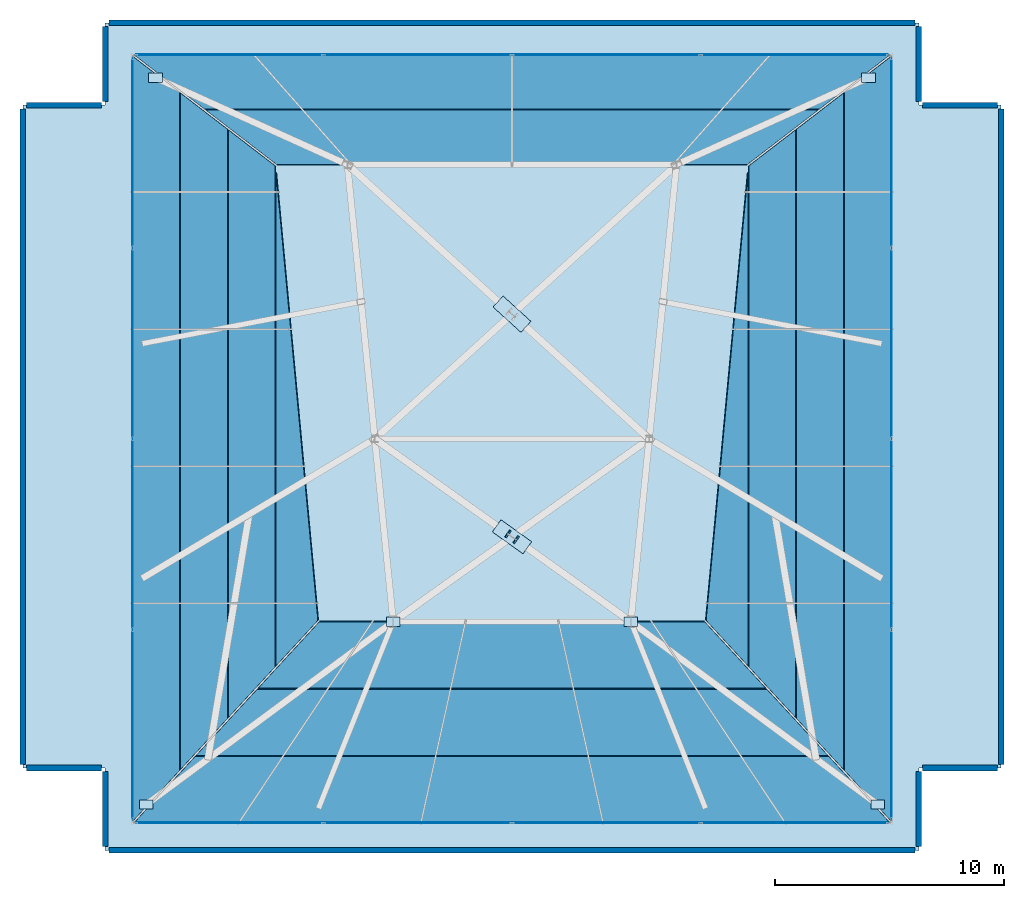
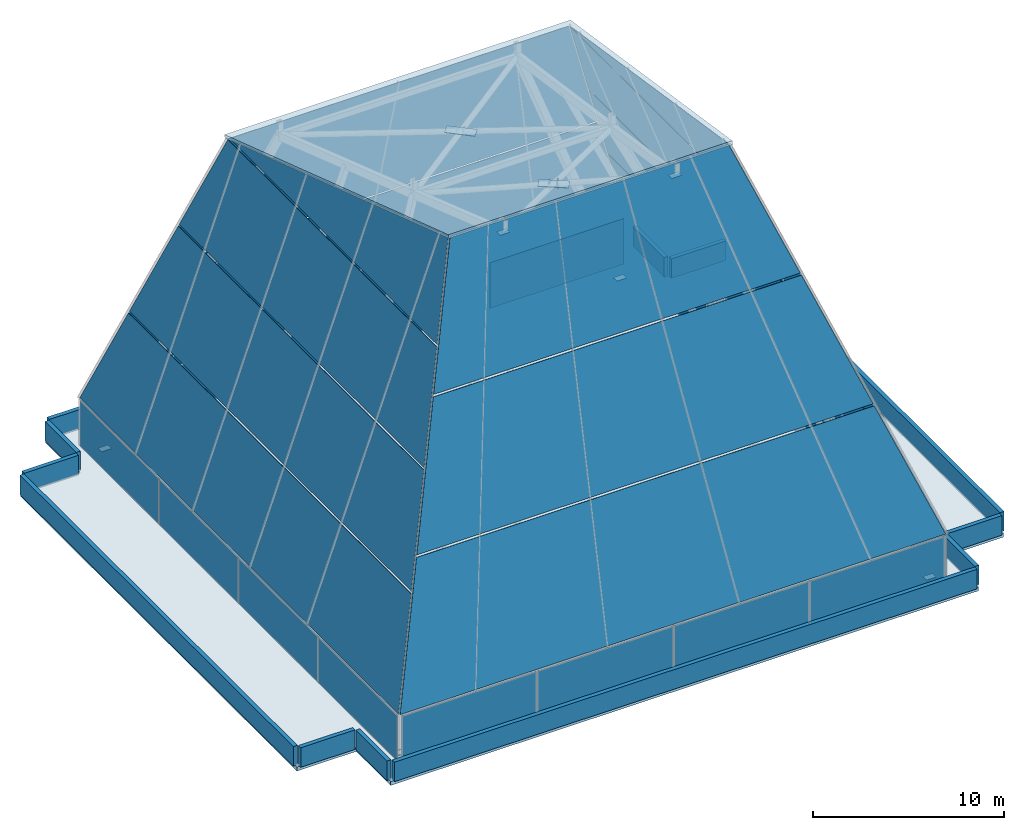
# One storey, part 30 of 32: 37 plates, 12 walls, 2 discrete accessories, 2 slabs, 4 elements without a shape of their own.
"""IFC4 building model written with IfcOpenShell, lengths in metres."""

from ifc_helpers import new_model, si_unit, direction, frame, frame_2d, origin, origin_2d, place, context, subcontext, project, spatial, polyline, rectangle, outline, extrude, source, transform, mapped, material, layer, layer_set, type_object, element, aggregate, save


model = new_model("IFC4")

# Units and contexts
model_context = context("Model", 3, precision=1e-05, world=origin(), true_north=direction((0.0, 1.0)))
body_context = subcontext(model_context, "Body", "Model", "MODEL_VIEW")
ifc_project = project(units=[si_unit("LENGTHUNIT", "METRE"), si_unit("AREAUNIT", "SQUARE_METRE"), si_unit("VOLUMEUNIT", "CUBIC_METRE"), si_unit("PLANEANGLEUNIT", "RADIAN"), si_unit("MASSUNIT", "GRAM", prefix="KILO")], contexts=[model_context])

# Site, building, storey
site_placement = place(None, origin())
site = spatial("IfcSite", under=ifc_project, at=site_placement, CompositionType="ELEMENT")
building_placement = place(site_placement, origin())
building = spatial("IfcBuilding", under=site, at=building_placement, Name="Sumidabori Civic Tower", CompositionType="ELEMENT")
storey_placement = place(building_placement, frame((0.0, 0.0, 298.199951171875)))
storey = spatial("IfcBuildingStorey", under=building, at=storey_placement, Name="RF Roof Crown", CompositionType="ELEMENT", Elevation=298.199951171875)

# Curtain wall, plates
ifc_material_1 = material(Name="Anodised Bronze Aluminium AW-6063-T6", Category="aluminium")
ifc_layer_1 = layer(ifc_material_1, 0.179931640625, Name="Anodised Bronze Aluminium AW-6063-T6")
ifc_layer_set_1 = layer_set([ifc_layer_1], Name="Anodised Bronze Aluminium AW-6063-T6")
curtain_wall_type = type_object("IfcCurtainWallType", Name="CW-SYS-6", PredefinedType="NOTDEFINED", material=ifc_layer_set_1)
curtain_wall_1_placement = place(storey_placement, origin())
curtain_wall_1 = element("IfcCurtainWall", 1, at=curtain_wall_1_placement, inside=storey, type_object=curtain_wall_type, Name="Glass-Point Crown South Prow Curtain Wall", PredefinedType="NOTDEFINED")
ifc_material_2 = material(Name="Bronze-Tinted Laminated Crown Glazing", Category="glass")
ifc_layer_2 = layer(ifc_material_2, 0.033935546875, Name="Bronze-Tinted Laminated Crown Glazing")
ifc_layer_set_2 = layer_set([ifc_layer_2], Name="Bronze-Tinted Laminated Crown Glazing")
plate_type_1 = type_object("IfcPlateType", Name="CW-PNL-CRN", PredefinedType="CURTAIN_PANEL", material=ifc_layer_set_2)
plate_1_placement = place(storey_placement, frame((-16.525634765625, -10.784423828125, 3.090087890625), z_axis=(0.0, -0.931518123112, 0.363694908287), x_axis=(1.0, 0.0, 0.0)))
plate_1 = element("IfcPlate", 2, at=plate_1_placement, type_object=plate_type_1, Name="Crown South Prow Glass Panel T1", PredefinedType="CURTAIN_PANEL", context=body_context, shape_type="SweptSolid", body=[
    extrude(outline(polyline([(0.0, 0.0), (33.05126953125, 0.0), (30.390869140625, 7.933171019192631), (2.660400390625, 7.933171019192631), (0.0, 0.0)])), origin(), (0.0, 0.0, -1.0), 0.033935546875),
])
plate_2_placement = place(storey_placement, frame((-13.822021484375, -7.852294921875, 10.60009765625), z_axis=(0.0, -0.931528747561, 0.363667695111), x_axis=(1.0, 0.0, 0.0)))
plate_2 = element("IfcPlate", 3, at=plate_2_placement, type_object=plate_type_1, Name="Crown South Prow Glass Panel T2", PredefinedType="CURTAIN_PANEL", context=body_context, shape_type="SweptSolid", body=[
    extrude(outline(polyline([(0.0, 0.0), (27.64404296875, 0.0), (24.972900390625, 7.965317113859216), (2.671142578125, 7.965317113859216), (0.0, 0.0)])), origin(), (0.0, 0.0, -1.0), 0.033935546875),
])
plate_3_placement = place(storey_placement, frame((-11.107666015625, -4.90869140625, 18.14013671875), z_axis=(0.0, -0.931518443778, 0.363694086977), x_axis=(1.0, 0.0, 0.0)))
plate_3 = element("IfcPlate", 4, at=plate_3_placement, type_object=plate_type_1, Name="Crown South Prow Glass Panel T3", PredefinedType="CURTAIN_PANEL", context=body_context, shape_type="SweptSolid", body=[
    extrude(outline(polyline([(0.0, 0.0), (22.21533203125, 0.0), (19.54052734375, 7.976150864488879), (2.6748046875, 7.976150864488879), (0.0, 0.0)])), origin(), (0.0, 0.0, -1.0), 0.033935546875),
])

curtain_wall_2_placement = place(storey_placement, origin())
curtain_wall_2 = element("IfcCurtainWall", 5, at=curtain_wall_2_placement, inside=storey, type_object=curtain_wall_type, Name="Glass-Point Crown North Shoulder Curtain Wall", PredefinedType="NOTDEFINED")
plate_4_placement = place(storey_placement, frame((16.525634765625, 22.788818359375, 3.090087890625), z_axis=(0.0, 0.963759199211, 0.266773697985), x_axis=(-1.0, 0.0, 0.0)))
plate_4 = element("IfcPlate", 6, at=plate_4_placement, type_object=plate_type_1, Name="Crown North Shoulder Glass Panel T1", PredefinedType="CURTAIN_PANEL", context=body_context, shape_type="SweptSolid", body=[
    extrude(outline(polyline([(0.0, 0.0), (33.05126953125, 0.0), (29.97314453125, 8.871561314410984), (3.078125, 8.871561314410984), (0.0, 0.0)])), origin(), (0.0, 0.0, -1.0), 0.033935546875),
])
plate_5_placement = place(storey_placement, frame((13.404296875, 20.388916015625, 11.760009765625), z_axis=(0.0, 0.963759860465, 0.266771309095), x_axis=(-1.0, 0.0, 0.0)))
plate_5 = element("IfcPlate", 7, at=plate_5_placement, type_object=plate_type_1, Name="Crown North Shoulder Glass Panel T2", PredefinedType="CURTAIN_PANEL", context=body_context, shape_type="SweptSolid", body=[
    extrude(outline(polyline([(0.0, 0.0), (26.80859375, 0.0), (23.708984375, 8.93387219687711), (3.099609375, 8.93387219687711), (0.0, 0.0)])), origin(), (0.0, 0.0, -1.0), 0.033935546875),
])

# Curtain wall, plate
curtain_wall_3_placement = place(storey_placement, origin())
curtain_wall_3 = element("IfcCurtainWall", 8, at=curtain_wall_3_placement, inside=storey, type_object=curtain_wall_type, Name="Glass-Point Crown West Cheek Curtain Wall", PredefinedType="NOTDEFINED")
plate_6_placement = place(storey_placement, frame((-16.585693359375, 22.72900390625, 3.090087890625), z_axis=(-0.940882763644, 0.0, 0.338732379729), x_axis=(0.0, -1.0, 0.0)))
plate_6 = element("IfcPlate", 9, at=plate_6_placement, type_object=plate_type_1, Name="Crown West Cheek Glass Panel B1", PredefinedType="CURTAIN_PANEL", context=body_context, shape_type="SweptSolid", body=[
    extrude(outline(polyline([(0.0, 0.0), (33.453369140625, 0.0), (31.23974609375, 6.026172541453069), (1.569580078125, 6.026172541453069), (0.0, 0.0)])), origin(), (0.0, 0.0, -1.0), 0.033935546875),
])

curtain_wall_4_placement = place(storey_placement, origin())
curtain_wall_4 = element("IfcCurtainWall", 10, at=curtain_wall_4_placement, inside=storey, type_object=curtain_wall_type, Name="Glass-Point Crown East Cheek Curtain Wall", PredefinedType="NOTDEFINED")
plate_7_placement = place(storey_placement, frame((16.585693359375, -10.724365234375, 3.090087890625), z_axis=(0.940882763644, 0.0, 0.338732379729), x_axis=(0.0, 1.0, 0.0)))
plate_7 = element("IfcPlate", 11, at=plate_7_placement, type_object=plate_type_1, Name="Crown East Cheek Glass Panel B1", PredefinedType="CURTAIN_PANEL", context=body_context, shape_type="SweptSolid", body=[
    extrude(outline(polyline([(0.0, 0.0), (33.453369140625, 0.0), (31.8837890625, 6.026172541453069), (2.213623046875, 6.026172541453069), (0.0, 0.0)])), origin(), (0.0, 0.0, -1.0), 0.033935546875),
])

# Plate
plate_8_placement = place(storey_placement, frame((-14.501220703125, 21.126220703125, 8.880126953125), z_axis=(-0.940879678408, 0.0, 0.338740949338), x_axis=(0.0, -1.0, 0.0)))
plate_8 = element("IfcPlate", 12, at=plate_8_placement, type_object=plate_type_1, Name="Crown West Cheek Glass Panel B2", PredefinedType="CURTAIN_PANEL", context=body_context, shape_type="SweptSolid", body=[
    extrude(outline(polyline([(0.0, 0.0), (29.590087890625, 0.0), (27.37255859375, 6.036831032671572), (1.572265625, 6.036831032671572), (0.0, 0.0)])), origin(), (0.0, 0.0, -1.0), 0.033935546875),
])

plate_9_placement = place(storey_placement, frame((14.501220703125, -8.4638671875, 8.880126953125), z_axis=(0.940879678408, 0.0, 0.338740949338), x_axis=(0.0, 1.0, 0.0)))
plate_9 = element("IfcPlate", 13, at=plate_9_placement, type_object=plate_type_1, Name="Crown East Cheek Glass Panel B2", PredefinedType="CURTAIN_PANEL", context=body_context, shape_type="SweptSolid", body=[
    extrude(outline(polyline([(0.0, 0.0), (29.590087890625, 0.0), (28.017822265625, 6.036831032671572), (2.217529296875, 6.036831032671572), (0.0, 0.0)])), origin(), (0.0, 0.0, -1.0), 0.033935546875),
])

plate_10_placement = place(storey_placement, frame((-12.4130859375, 19.5205078125, 14.679931640625), z_axis=(-0.940900322359, 0.0, 0.338683603656), x_axis=(0.0, -1.0, 0.0)))
plate_10 = element("IfcPlate", 14, at=plate_10_placement, type_object=plate_type_1, Name="Crown West Cheek Glass Panel B3", PredefinedType="CURTAIN_PANEL", context=body_context, shape_type="SweptSolid", body=[
    extrude(outline(polyline([(0.0, 0.0), (25.719970703125, 0.0), (23.50634765625, 6.026319558921749), (1.5693359375, 6.026319558921749), (0.0, 0.0)])), origin(), (0.0, 0.0, -1.0), 0.033935546875),
])

plate_11_placement = place(storey_placement, frame((12.4130859375, -6.199462890625, 14.679931640625), z_axis=(0.940900322359, 0.0, 0.338683603656), x_axis=(0.0, 1.0, 0.0)))
plate_11 = element("IfcPlate", 15, at=plate_11_placement, type_object=plate_type_1, Name="Crown East Cheek Glass Panel B3", PredefinedType="CURTAIN_PANEL", context=body_context, shape_type="SweptSolid", body=[
    extrude(outline(polyline([(0.0, 0.0), (25.719970703125, 0.0), (24.150634765625, 6.026319558921749), (2.213623046875, 6.026319558921749), (0.0, 0.0)])), origin(), (0.0, 0.0, -1.0), 0.033935546875),
])

plate_12_placement = place(storey_placement, frame((-10.328857421875, 17.65234375, 20.469970703125), z_axis=(-0.940885682575, 0.0, 0.338724271827), x_axis=(0.0, -1.0, 0.0)))
plate_12 = element("IfcPlate", 16, at=plate_12_placement, type_object=plate_type_1, Name="Crown West Cheek Glass Panel B4", PredefinedType="CURTAIN_PANEL", context=body_context, shape_type="SweptSolid", body=[
    extrude(outline(polyline([(0.0, 0.0), (21.59130859375, 0.0), (19.60791015625, 5.399251172676706), (19.53857421875, 5.399251172676706), (0.0, 0.0)])), origin(), (0.0, 0.0, -1.0), 0.033935546875),
])

plate_13_placement = place(storey_placement, frame((10.328857421875, -3.93896484375, 20.469970703125), z_axis=(0.940885682575, 0.0, 0.338724271827), x_axis=(0.0, 1.0, 0.0)))
plate_13 = element("IfcPlate", 17, at=plate_13_placement, type_object=plate_type_1, Name="Crown East Cheek Glass Panel B4", PredefinedType="CURTAIN_PANEL", context=body_context, shape_type="SweptSolid", body=[
    extrude(outline(polyline([(0.0, 0.0), (21.59130859375, 0.0), (2.052734375, 5.399251172676706), (1.9833984375, 5.399251172676706), (0.0, 0.0)])), origin(), (0.0, 0.0, -1.0), 0.033935546875),
])

# Slabs
ifc_material_3 = material(Name="Concrete C40/50", Category="concrete")
ifc_layer_3 = layer(ifc_material_3, 0.260009765625, Name="Concrete C40/50")
ifc_layer_set_3 = layer_set([ifc_layer_3], Name="Concrete C40/50")
slab_type_1 = type_object("IfcSlabType", Name="SL-RF-260", PredefinedType="ROOF", material=ifc_layer_set_3)
slab_1_placement = place(storey_placement, frame((0.0, 0.0, -0.260009765625)))
element("IfcSlab", 18, at=slab_1_placement, inside=storey, type_object=slab_type_1, Name="Structural Slab RF Roof Crown", PredefinedType="ROOF", context=body_context, shape_type="SweptSolid", body=[
    extrude(outline(polyline([(-17.800048828125, -12.0), (17.800048828125, -12.0), (17.800048828125, -8.39990234375), (21.39990234375, -8.39990234375), (21.39990234375, 20.60009765625), (17.800048828125, 20.60009765625), (17.800048828125, 24.199951171875), (-17.800048828125, 24.199951171875), (-17.800048828125, 20.60009765625), (-21.39990234375, 20.60009765625), (-21.39990234375, -8.39990234375), (-17.800048828125, -8.39990234375), (-17.800048828125, -12.0)])), origin(), (0.0, 0.0, 1.0), 0.260009765625),
])
ifc_layer_4 = layer(ifc_material_3, 0.219970703125, Name="Concrete C40/50")
ifc_layer_set_4 = layer_set([ifc_layer_4], Name="Concrete C40/50")
slab_type_2 = type_object("IfcSlabType", Name="SL-RF-CAP-220", PredefinedType="ROOF", material=ifc_layer_set_4)
slab_2_placement = place(storey_placement, frame((-8.60009765625, -2.1201171875, 25.800048828125), z_axis=(0.0, 0.248830950148, 0.968546931361), x_axis=(1.0, 0.0, 0.0)))
element("IfcSlab", 19, at=slab_2_placement, inside=storey, type_object=slab_type_2, Name="Crown Glass-Point Prow Apex Cap SR-2", PredefinedType="ROOF", context=body_context, shape_type="SweptSolid", body=[
    extrude(outline(polyline([(0.0, 0.0), (17.2001953125, 0.0), (19.080078125, 20.897525684750715), (-1.8798828125, 20.897525684750715), (0.0, 0.0)])), origin(), (0.0, 0.0, -1.0), 0.219970703125),
])

# Plates
ifc_material_4 = material(Name="Steel SN490", Category="steel")
ifc_layer_5 = layer(ifc_material_4, 0.0400390625, Name="Steel SN490")
ifc_layer_set_5 = layer_set([ifc_layer_5], Name="Steel SN490")
plate_type_2 = type_object("IfcPlateType", Name="PL-NODE-XBR", PredefinedType="USERDEFINED", material=ifc_layer_set_5)
shared_shape_1 = source(origin(), body_context, "Body", "SweptSolid", [
    extrude(rectangle(XDim=1.64990234375, YDim=0.64990234375, at=origin_2d()), origin(), (0.0, 0.0, 1.0), 0.0400390625),
])
for number, where, z_axis, x_axis, name in (
    (20, (0.0, 1.71435546875, 23.705078125), (0.0, 0.0, 1.0), (-0.813709912852, 0.581271174002, 0.0), "X-Brace Crossing Node Plate XND-CRN-1"),
    (21, (0.0, 11.45458984375, 21.1708984375), (0.0, 0.0, 1.0), (-0.739983382104, 0.672625151337, 0.0), "X-Brace Crossing Node Plate XND-CRN-2"),
):
    element("IfcPlate", number, at=place(storey_placement, frame(where, z_axis=z_axis, x_axis=x_axis)), inside=storey, type_object=plate_type_2, Name=name, ObjectType="GUSSET_PLATE", PredefinedType="USERDEFINED", context=body_context, shape_type="MappedRepresentation", body=[
        mapped(shared_shape_1, transform((0.0, 0.0, 0.0), x_axis=(1.0, 0.0, 0.0), y_axis=(0.0, 1.0, 0.0), z_axis=(0.0, 0.0, 1.0), scale=1.0)),
    ])
ifc_layer_6 = layer(ifc_material_4, 0.031982421875, Name="Steel SN490")
ifc_layer_set_6 = layer_set([ifc_layer_6], Name="Steel SN490")
plate_type_3 = type_object("IfcPlateType", Name="PL-NODE-CN", PredefinedType="USERDEFINED", material=ifc_layer_set_6)
shared_shape_2 = source(origin(), body_context, "Body", "SweptSolid", [
    extrude(rectangle(XDim=0.60009765625, YDim=0.39990234375, at=origin_2d()), origin(), (0.0, 0.0, 1.0), 0.031982421875),
])
for number, where, z_axis, x_axis, name in (
    (22, (-16.0, -10.0, 0.0341796875), (0.0, 0.0, 1.0), (1.0, 0.0, 0.0), "Crown Rafter Base Plate ND-CN1-1"),
    (23, (16.0, -10.0, 0.0341796875), (0.0, 0.0, 1.0), (1.0, 0.0, 0.0), "Crown Rafter Base Plate ND-CN1-2"),
    (24, (-15.60009765625, 21.800048828125, 0.0341796875), (0.0, 0.0, 1.0), (1.0, 0.0, 0.0), "Crown Rafter Base Plate ND-CN1-3"),
    (25, (15.60009765625, 21.800048828125, 0.0341796875), (0.0, 0.0, 1.0), (1.0, 0.0, 0.0), "Crown Rafter Base Plate ND-CN1-4"),
    (26, (-5.199951171875, -2.0, 24.68408203125), (0.0, 0.0, 1.0), (1.0, 0.0, 0.0), "Crown Rafter Base Plate ND-CN1-5"),
    (27, (5.199951171875, -2.0, 24.68408203125), (0.0, 0.0, 1.0), (1.0, 0.0, 0.0), "Crown Rafter Base Plate ND-CN1-6"),
):
    element("IfcPlate", number, at=place(storey_placement, frame(where, z_axis=z_axis, x_axis=x_axis)), inside=storey, type_object=plate_type_3, Name=name, ObjectType="BASE_PLATE", PredefinedType="USERDEFINED", context=body_context, shape_type="MappedRepresentation", body=[
        mapped(shared_shape_2, transform((0.0, 0.0, 0.0), x_axis=(1.0, 0.0, 0.0), y_axis=(0.0, 1.0, 0.0), z_axis=(0.0, 0.0, 1.0), scale=1.0)),
    ])

# Plate
shared_shape_3 = source(origin(), body_context, "Body", "SweptSolid", [
    extrude(rectangle(XDim=8.14501953125, YDim=0.033935546875, at=origin_2d()), origin(), (0.0, 0.0, 1.0), 2.919921875),
])
plate_14_placement = place(storey_placement, frame((-12.357421875, -10.800048828125, 0.065185546875), z_axis=(0.0, 0.0, 1.0), x_axis=(1.0, 0.0, 0.0)))
plate_14 = element("IfcPlate", 28, at=plate_14_placement, type_object=plate_type_1, Name="CW-6 panel 1.1", PredefinedType="CURTAIN_PANEL", context=body_context, shape_type="MappedRepresentation", body=[
    mapped(shared_shape_3, transform((0.0, 0.0, 0.0), x_axis=(1.0, 0.0, 0.0), y_axis=(0.0, 1.0, 0.0), z_axis=(0.0, 0.0, 1.0), scale=1.0)),
])

plate_15_placement = place(storey_placement, frame((12.357421875, -10.800048828125, 0.065185546875), z_axis=(0.0, 0.0, 1.0), x_axis=(1.0, 0.0, 0.0)))
plate_15 = element("IfcPlate", 29, at=plate_15_placement, type_object=plate_type_1, Name="CW-6 panel 4.1", PredefinedType="CURTAIN_PANEL", context=body_context, shape_type="MappedRepresentation", body=[
    mapped(shared_shape_3, transform((0.0, 0.0, 0.0), x_axis=(1.0, 0.0, 0.0), y_axis=(0.0, 1.0, 0.0), z_axis=(0.0, 0.0, 1.0), scale=1.0)),
])

plate_16_placement = place(storey_placement, frame((12.357421875, 22.800048828125, 0.065185546875), z_axis=(0.0, 0.0, 1.0), x_axis=(-1.0, 0.0, 0.0)))
plate_16 = element("IfcPlate", 30, at=plate_16_placement, type_object=plate_type_1, Name="CW-6 panel 1.1", PredefinedType="CURTAIN_PANEL", context=body_context, shape_type="MappedRepresentation", body=[
    mapped(shared_shape_3, transform((0.0, 0.0, 0.0), x_axis=(1.0, 0.0, 0.0), y_axis=(0.0, 1.0, 0.0), z_axis=(0.0, 0.0, 1.0), scale=1.0)),
])

plate_17_placement = place(storey_placement, frame((-12.357421875, 22.800048828125, 0.065185546875), z_axis=(0.0, 0.0, 1.0), x_axis=(-1.0, 0.0, 0.0)))
plate_17 = element("IfcPlate", 31, at=plate_17_placement, type_object=plate_type_1, Name="CW-6 panel 4.1", PredefinedType="CURTAIN_PANEL", context=body_context, shape_type="MappedRepresentation", body=[
    mapped(shared_shape_3, transform((0.0, 0.0, 0.0), x_axis=(1.0, 0.0, 0.0), y_axis=(0.0, 1.0, 0.0), z_axis=(0.0, 0.0, 1.0), scale=1.0)),
])

shared_shape_4 = source(origin(), body_context, "Body", "SweptSolid", [
    extrude(rectangle(XDim=8.179931640625, YDim=0.033935546875, at=origin_2d()), origin(), (0.0, 0.0, 1.0), 2.919921875),
])
plate_18_placement = place(storey_placement, frame((-4.125, -10.800048828125, 0.065185546875), z_axis=(0.0, 0.0, 1.0), x_axis=(1.0, 0.0, 0.0)))
plate_18 = element("IfcPlate", 32, at=plate_18_placement, type_object=plate_type_1, Name="CW-6 panel 2.1", PredefinedType="CURTAIN_PANEL", context=body_context, shape_type="MappedRepresentation", body=[
    mapped(shared_shape_4, transform((0.0, 0.0, 0.0), x_axis=(1.0, 0.0, 0.0), y_axis=(0.0, 1.0, 0.0), z_axis=(0.0, 0.0, 1.0), scale=1.0)),
])

plate_19_placement = place(storey_placement, frame((4.125, -10.800048828125, 0.065185546875), z_axis=(0.0, 0.0, 1.0), x_axis=(1.0, 0.0, 0.0)))
plate_19 = element("IfcPlate", 33, at=plate_19_placement, type_object=plate_type_1, Name="CW-6 panel 3.1", PredefinedType="CURTAIN_PANEL", context=body_context, shape_type="MappedRepresentation", body=[
    mapped(shared_shape_4, transform((0.0, 0.0, 0.0), x_axis=(1.0, 0.0, 0.0), y_axis=(0.0, 1.0, 0.0), z_axis=(0.0, 0.0, 1.0), scale=1.0)),
])

aggregate(curtain_wall_1, [plate_14, plate_18, plate_19, plate_15, plate_1, plate_2, plate_3])

plate_20_placement = place(storey_placement, frame((4.125, 22.800048828125, 0.065185546875), z_axis=(0.0, 0.0, 1.0), x_axis=(-1.0, 0.0, 0.0)))
plate_20 = element("IfcPlate", 34, at=plate_20_placement, type_object=plate_type_1, Name="CW-6 panel 2.1", PredefinedType="CURTAIN_PANEL", context=body_context, shape_type="MappedRepresentation", body=[
    mapped(shared_shape_4, transform((0.0, 0.0, 0.0), x_axis=(1.0, 0.0, 0.0), y_axis=(0.0, 1.0, 0.0), z_axis=(0.0, 0.0, 1.0), scale=1.0)),
])

plate_21_placement = place(storey_placement, frame((-4.125, 22.800048828125, 0.065185546875), z_axis=(0.0, 0.0, 1.0), x_axis=(-1.0, 0.0, 0.0)))
plate_21 = element("IfcPlate", 35, at=plate_21_placement, type_object=plate_type_1, Name="CW-6 panel 3.1", PredefinedType="CURTAIN_PANEL", context=body_context, shape_type="MappedRepresentation", body=[
    mapped(shared_shape_4, transform((0.0, 0.0, 0.0), x_axis=(1.0, 0.0, 0.0), y_axis=(0.0, 1.0, 0.0), z_axis=(0.0, 0.0, 1.0), scale=1.0)),
])

aggregate(curtain_wall_2, [plate_16, plate_20, plate_21, plate_17, plate_4, plate_5])

shared_shape_5 = source(origin(), body_context, "Body", "SweptSolid", [
    extrude(rectangle(XDim=8.2451171875, YDim=0.033935546875, at=origin_2d()), origin(), (0.0, 0.0, 1.0), 2.919921875),
])
plate_22_placement = place(storey_placement, frame((-16.60009765625, 18.507568359375, 0.065185546875), z_axis=(0.0, 0.0, 1.0), x_axis=(0.0, -1.0, 0.0)))
plate_22 = element("IfcPlate", 36, at=plate_22_placement, type_object=plate_type_1, Name="CW-6 panel 1.1", PredefinedType="CURTAIN_PANEL", context=body_context, shape_type="MappedRepresentation", body=[
    mapped(shared_shape_5, transform((0.0, 0.0, 0.0), x_axis=(1.0, 0.0, 0.0), y_axis=(0.0, 1.0, 0.0), z_axis=(0.0, 0.0, 1.0), scale=1.0)),
])

plate_23_placement = place(storey_placement, frame((-16.60009765625, -6.507568359375, 0.065185546875), z_axis=(0.0, 0.0, 1.0), x_axis=(0.0, -1.0, 0.0)))
plate_23 = element("IfcPlate", 37, at=plate_23_placement, type_object=plate_type_1, Name="CW-6 panel 4.1", PredefinedType="CURTAIN_PANEL", context=body_context, shape_type="MappedRepresentation", body=[
    mapped(shared_shape_5, transform((0.0, 0.0, 0.0), x_axis=(1.0, 0.0, 0.0), y_axis=(0.0, 1.0, 0.0), z_axis=(0.0, 0.0, 1.0), scale=1.0)),
])

plate_24_placement = place(storey_placement, frame((16.60009765625, -6.507568359375, 0.065185546875), z_axis=(0.0, 0.0, 1.0), x_axis=(0.0, 1.0, 0.0)))
plate_24 = element("IfcPlate", 38, at=plate_24_placement, type_object=plate_type_1, Name="CW-6 panel 1.1", PredefinedType="CURTAIN_PANEL", context=body_context, shape_type="MappedRepresentation", body=[
    mapped(shared_shape_5, transform((0.0, 0.0, 0.0), x_axis=(1.0, 0.0, 0.0), y_axis=(0.0, 1.0, 0.0), z_axis=(0.0, 0.0, 1.0), scale=1.0)),
])

plate_25_placement = place(storey_placement, frame((16.60009765625, 18.507568359375, 0.065185546875), z_axis=(0.0, 0.0, 1.0), x_axis=(0.0, 1.0, 0.0)))
plate_25 = element("IfcPlate", 39, at=plate_25_placement, type_object=plate_type_1, Name="CW-6 panel 4.1", PredefinedType="CURTAIN_PANEL", context=body_context, shape_type="MappedRepresentation", body=[
    mapped(shared_shape_5, transform((0.0, 0.0, 0.0), x_axis=(1.0, 0.0, 0.0), y_axis=(0.0, 1.0, 0.0), z_axis=(0.0, 0.0, 1.0), scale=1.0)),
])

shared_shape_6 = source(origin(), body_context, "Body", "SweptSolid", [
    extrude(rectangle(XDim=8.280029296875, YDim=0.033935546875, at=origin_2d()), origin(), (0.0, 0.0, 1.0), 2.919921875),
])
plate_26_placement = place(storey_placement, frame((-16.60009765625, 10.175048828125, 0.065185546875), z_axis=(0.0, 0.0, 1.0), x_axis=(0.0, -1.0, 0.0)))
plate_26 = element("IfcPlate", 40, at=plate_26_placement, type_object=plate_type_1, Name="CW-6 panel 2.1", PredefinedType="CURTAIN_PANEL", context=body_context, shape_type="MappedRepresentation", body=[
    mapped(shared_shape_6, transform((0.0, 0.0, 0.0), x_axis=(1.0, 0.0, 0.0), y_axis=(0.0, 1.0, 0.0), z_axis=(0.0, 0.0, 1.0), scale=1.0)),
])

plate_27_placement = place(storey_placement, frame((-16.60009765625, 1.824951171875, 0.065185546875), z_axis=(0.0, 0.0, 1.0), x_axis=(0.0, -1.0, 0.0)))
plate_27 = element("IfcPlate", 41, at=plate_27_placement, type_object=plate_type_1, Name="CW-6 panel 3.1", PredefinedType="CURTAIN_PANEL", context=body_context, shape_type="MappedRepresentation", body=[
    mapped(shared_shape_6, transform((0.0, 0.0, 0.0), x_axis=(1.0, 0.0, 0.0), y_axis=(0.0, 1.0, 0.0), z_axis=(0.0, 0.0, 1.0), scale=1.0)),
])

aggregate(curtain_wall_3, [plate_22, plate_26, plate_27, plate_23, plate_6, plate_8, plate_10, plate_12])

plate_28_placement = place(storey_placement, frame((16.60009765625, 1.824951171875, 0.065185546875), z_axis=(0.0, 0.0, 1.0), x_axis=(0.0, 1.0, 0.0)))
plate_28 = element("IfcPlate", 42, at=plate_28_placement, type_object=plate_type_1, Name="CW-6 panel 2.1", PredefinedType="CURTAIN_PANEL", context=body_context, shape_type="MappedRepresentation", body=[
    mapped(shared_shape_6, transform((0.0, 0.0, 0.0), x_axis=(1.0, 0.0, 0.0), y_axis=(0.0, 1.0, 0.0), z_axis=(0.0, 0.0, 1.0), scale=1.0)),
])

plate_29_placement = place(storey_placement, frame((16.60009765625, 10.175048828125, 0.065185546875), z_axis=(0.0, 0.0, 1.0), x_axis=(0.0, 1.0, 0.0)))
plate_29 = element("IfcPlate", 43, at=plate_29_placement, type_object=plate_type_1, Name="CW-6 panel 3.1", PredefinedType="CURTAIN_PANEL", context=body_context, shape_type="MappedRepresentation", body=[
    mapped(shared_shape_6, transform((0.0, 0.0, 0.0), x_axis=(1.0, 0.0, 0.0), y_axis=(0.0, 1.0, 0.0), z_axis=(0.0, 0.0, 1.0), scale=1.0)),
])

aggregate(curtain_wall_4, [plate_24, plate_28, plate_29, plate_25, plate_7, plate_9, plate_11, plate_13])

# Walls
ifc_material_5 = material(Name="Precast concrete C40/50", Category="concrete")
ifc_layer_7 = layer(ifc_material_5, 0.25, Name="Precast concrete C40/50")
ifc_layer_set_7 = layer_set([ifc_layer_7], Name="Precast concrete C40/50")
wall_type = type_object("IfcWallType", Name="WL-EXT-PAR250", PredefinedType="PARAPET", material=ifc_layer_set_7)
shared_shape_7 = source(origin(), body_context, "Body", "SweptSolid", [
    extrude(rectangle(XDim=35.27978515625, YDim=0.25, at=frame_2d((17.639892578125, 0.0))), origin(), (0.0, 0.0, 1.0), 1.25),
])
for number, where, z_axis, x_axis, name in (
    (44, (-17.639892578125, -12.0, 0.0), (0.0, 0.0, 1.0), (1.0, 0.0, 0.0), "Crown Perimeter Parapet 01"),
    (45, (17.639892578125, 24.199951171875, 0.0), (0.0, 0.0, 1.0), (-1.0, 0.0, 0.0), "Crown Perimeter Parapet 07"),
):
    element("IfcWall", number, at=place(storey_placement, frame(where, z_axis=z_axis, x_axis=x_axis)), inside=storey, type_object=wall_type, Name=name, PredefinedType="PARAPET", context=body_context, shape_type="MappedRepresentation", body=[
        mapped(shared_shape_7, transform((0.0, 0.0, 0.0), x_axis=(1.0, 0.0, 0.0), y_axis=(0.0, 1.0, 0.0), z_axis=(0.0, 0.0, 1.0), scale=1.0)),
    ])
shared_shape_8 = source(origin(), body_context, "Body", "SweptSolid", [
    extrude(rectangle(XDim=3.280029296875, YDim=0.25, at=frame_2d((1.64013671875, 0.0))), origin(), (0.0, 0.0, 1.0), 1.25),
])
for number, where, z_axis, x_axis, name in (
    (46, (17.800048828125, -11.840087890625, 0.0), (0.0, 0.0, 1.0), (0.0, 1.0, 0.0), "Crown Perimeter Parapet 02"),
    (47, (17.9599609375, -8.39990234375, 0.0), (0.0, 0.0, 1.0), (1.0, 0.0, 0.0), "Crown Perimeter Parapet 03"),
    (48, (21.239990234375, 20.60009765625, 0.0), (0.0, 0.0, 1.0), (-1.0, 0.0, 0.0), "Crown Perimeter Parapet 05"),
    (49, (17.800048828125, 20.760009765625, 0.0), (0.0, 0.0, 1.0), (0.0, 1.0, 0.0), "Crown Perimeter Parapet 06"),
    (50, (-17.800048828125, 24.0400390625, 0.0), (0.0, 0.0, 1.0), (0.0, -1.0, 0.0), "Crown Perimeter Parapet 08"),
    (51, (-17.9599609375, 20.60009765625, 0.0), (0.0, 0.0, 1.0), (-1.0, 0.0, 0.0), "Crown Perimeter Parapet 09"),
    (52, (-21.239990234375, -8.39990234375, 0.0), (0.0, 0.0, 1.0), (1.0, 0.0, 0.0), "Crown Perimeter Parapet 11"),
    (53, (-17.800048828125, -8.56005859375, 0.0), (0.0, 0.0, 1.0), (0.0, -1.0, 0.0), "Crown Perimeter Parapet 12"),
):
    element("IfcWall", number, at=place(storey_placement, frame(where, z_axis=z_axis, x_axis=x_axis)), inside=storey, type_object=wall_type, Name=name, PredefinedType="PARAPET", context=body_context, shape_type="MappedRepresentation", body=[
        mapped(shared_shape_8, transform((0.0, 0.0, 0.0), x_axis=(1.0, 0.0, 0.0), y_axis=(0.0, 1.0, 0.0), z_axis=(0.0, 0.0, 1.0), scale=1.0)),
    ])
shared_shape_9 = source(origin(), body_context, "Body", "SweptSolid", [
    extrude(rectangle(XDim=28.679931640625, YDim=0.25, at=frame_2d((14.33984375, 0.0))), origin(), (0.0, 0.0, 1.0), 1.25),
])
for number, where, z_axis, x_axis, name in (
    (54, (21.39990234375, -8.239990234375, 0.0), (0.0, 0.0, 1.0), (0.0, 1.0, 0.0), "Crown Perimeter Parapet 04"),
    (55, (-21.39990234375, 20.43994140625, 0.0), (0.0, 0.0, 1.0), (0.0, -1.0, 0.0), "Crown Perimeter Parapet 10"),
):
    element("IfcWall", number, at=place(storey_placement, frame(where, z_axis=z_axis, x_axis=x_axis)), inside=storey, type_object=wall_type, Name=name, PredefinedType="PARAPET", context=body_context, shape_type="MappedRepresentation", body=[
        mapped(shared_shape_9, transform((0.0, 0.0, 0.0), x_axis=(1.0, 0.0, 0.0), y_axis=(0.0, 1.0, 0.0), z_axis=(0.0, 0.0, 1.0), scale=1.0)),
    ])

# Discrete accessories
ifc_layer_8 = layer(ifc_material_4, 0.028076171875, Name="Steel SN490")
ifc_layer_set_8 = layer_set([ifc_layer_8], Name="Steel SN490")
discrete_accessory_type = type_object("IfcDiscreteAccessoryType", Name="AC-CAP-SN490", PredefinedType="USERDEFINED", material=ifc_layer_set_8)
shared_shape_10 = source(origin(), body_context, "Body", "SweptSolid", [
    extrude(rectangle(XDim=0.384033203125, YDim=0.384033203125, at=origin_2d()), origin(), (0.0, 0.0, 1.0), 0.0400390625),
])
discrete_accessory_1_placement = place(storey_placement, frame((0.19287109375, 1.576416015625, 23.76123046875), z_axis=(-0.800045688897, 0.580185804925, -0.15268047498), x_axis=(-0.587068831465, -0.80953702023, 0.0)))
element("IfcDiscreteAccessory", 56, at=discrete_accessory_1_placement, inside=storey, type_object=discrete_accessory_type, Name="Hollow Section End Cap Plate XND-CRN-1 Lower", ObjectType="End Cap Plate", PredefinedType="USERDEFINED", context=body_context, shape_type="MappedRepresentation", body=[
    mapped(shared_shape_10, transform((0.0, 0.0, 0.0), x_axis=(1.0, 0.0, 0.0), y_axis=(0.0, 1.0, 0.0), z_axis=(0.0, 0.0, 1.0), scale=1.0)),
])
shared_shape_11 = source(origin(), body_context, "Body", "SweptSolid", [
    extrude(rectangle(XDim=0.384033203125, YDim=0.384033203125, at=origin_2d()), origin(), (0.0, 0.0, 1.0), 0.039794921875),
])
discrete_accessory_2_placement = place(storey_placement, frame((-0.19287109375, 1.85205078125, 23.68896484375), z_axis=(0.803620490779, -0.576643710941, 0.147228181517), x_axis=(0.582996887975, 0.812474386434, 0.0)))
element("IfcDiscreteAccessory", 57, at=discrete_accessory_2_placement, inside=storey, type_object=discrete_accessory_type, Name="Hollow Section End Cap Plate XND-CRN-1 Upper", ObjectType="End Cap Plate", PredefinedType="USERDEFINED", context=body_context, shape_type="MappedRepresentation", body=[
    mapped(shared_shape_11, transform((0.0, 0.0, 0.0), x_axis=(1.0, 0.0, 0.0), y_axis=(0.0, 1.0, 0.0), z_axis=(0.0, 0.0, 1.0), scale=1.0)),
])

save(model, "model.ifc")
